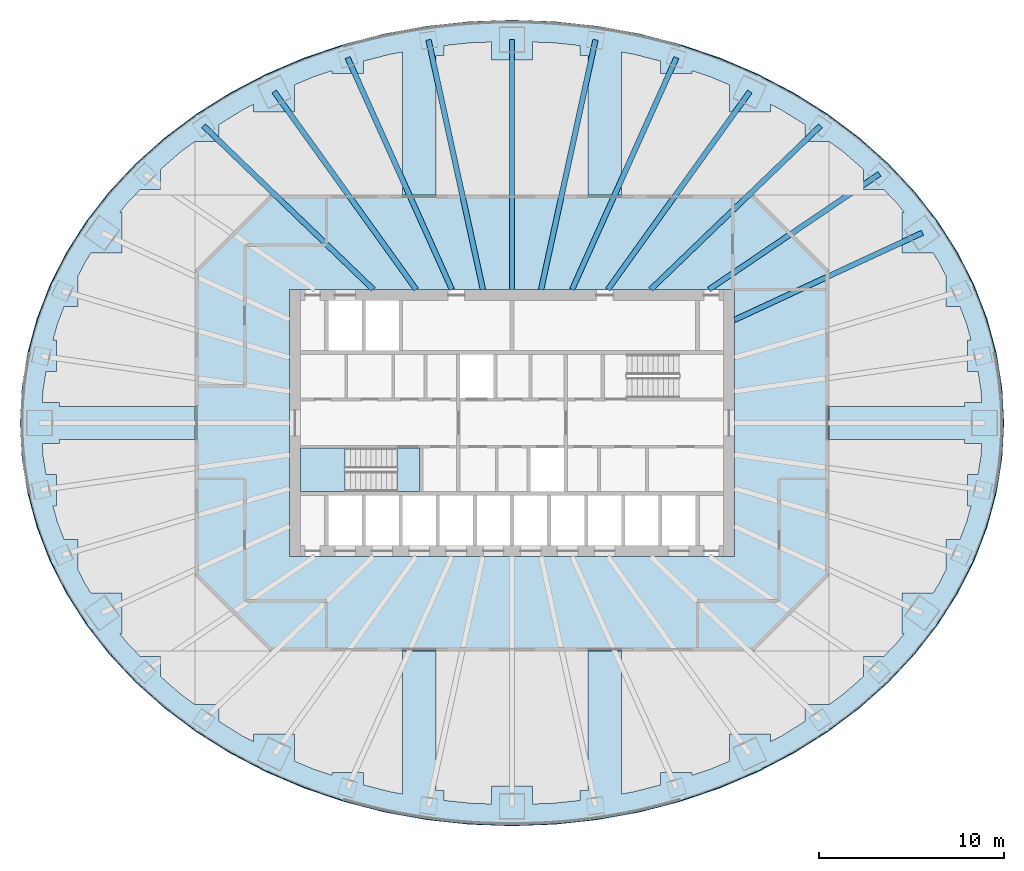
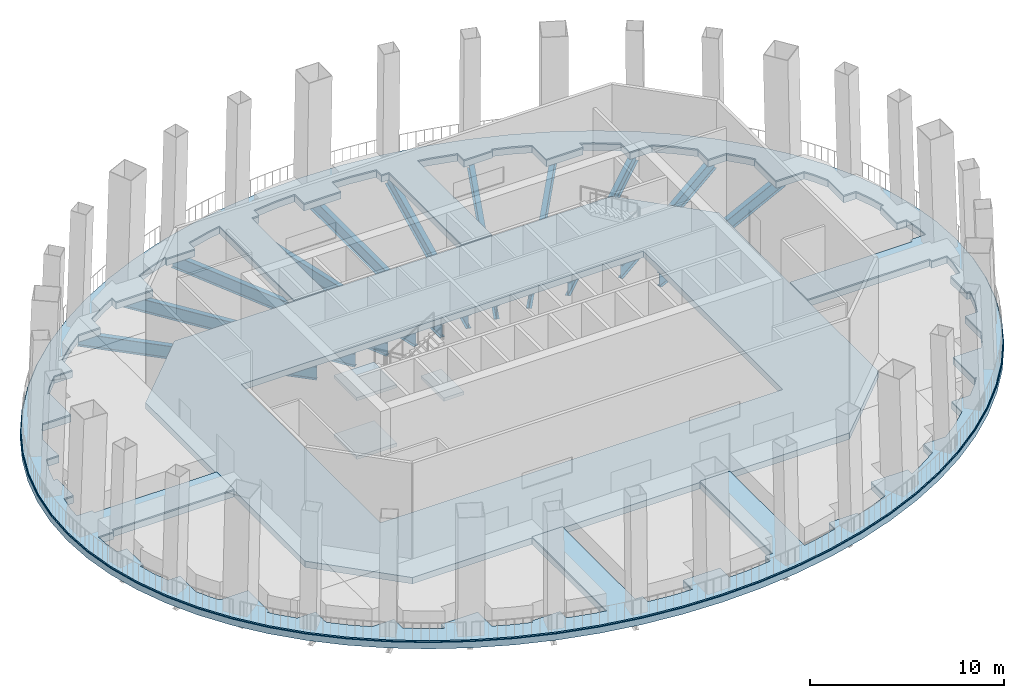
# One storey, part 2 of 13: 11 beams, 6 slabs, 1 element without a shape of its own.
"""IFC4 building model written with IfcOpenShell, lengths in metres."""

from ifc_helpers import new_model, si_unit, direction, frame, origin, origin_2d, place, context, subcontext, project, spatial, polyline, i_section, outline, extrude, material, layer, layer_set, material_profile, profile_set, type_object, element, aggregate, save


model = new_model("IFC4")

# Units and contexts
model_context = context("Model", 3, precision=1e-05, world=origin(), true_north=direction((0.0, 1.0)))
body_context = subcontext(model_context, "Body", "Model", "MODEL_VIEW")
ifc_project = project(units=[si_unit("LENGTHUNIT", "METRE"), si_unit("AREAUNIT", "SQUARE_METRE"), si_unit("VOLUMEUNIT", "CUBIC_METRE"), si_unit("PLANEANGLEUNIT", "RADIAN"), si_unit("MASSUNIT", "GRAM", prefix="KILO")], contexts=[model_context])

# Site, building, storey
site_placement = place(None, origin())
site = spatial("IfcSite", under=ifc_project, at=site_placement, CompositionType="ELEMENT")
building_placement = place(site_placement, origin())
building = spatial("IfcBuilding", under=site, at=building_placement, Name="Siaravel Broadcast Tower", CompositionType="ELEMENT")
storey_placement = place(building_placement, frame((0.0, 0.0, 85.199951171875)))
storey = spatial("IfcBuildingStorey", under=building, at=storey_placement, Name="L20", CompositionType="ELEMENT", Elevation=85.199951171875)

# Beams
ifc_material_1 = material(Name="Steel S355", Category="steel")
ifc_material_profile = material_profile(ifc_material_1, i_section(OverallWidth=0.291748046875, OverallDepth=0.8349609375, WebThickness=0.013916015625, FlangeThickness=0.018798828125, FilletRadius=0.017822265625, at=origin_2d()))
ifc_profile_set = profile_set([ifc_material_profile], Name="Steel S355")
beam_type = type_object("IfcBeamType", Name="BM-UB 838x292x176", PredefinedType="BEAM", material=ifc_profile_set)
beam_1_placement = place(storey_placement, frame((22.131591796875, 10.2578125, -0.8173828125), z_axis=(-0.907287618, -0.420510616, 0.0), x_axis=(0.420510616, -0.907287618, 0.0)))
element("IfcBeam", 1, at=beam_1_placement, inside=storey, type_object=beam_type, Name="Radial beam RB04", PredefinedType="BEAM", context=body_context, shape_type="SweptSolid", body=[
    extrude(i_section(OverallWidth=0.291748046875, OverallDepth=0.8349609375, WebThickness=0.013916015625, FlangeThickness=0.018798828125, FilletRadius=0.017822265625, at=origin_2d()), origin(), (0.0, 0.0, 1.0), 11.1669921875),
])
beam_2_placement = place(storey_placement, frame((19.81298828125, 13.429443359375, -0.8173828125), z_axis=(-0.827770119, -0.561067402, 0.0), x_axis=(0.561067402, -0.827770119, 0.0)))
element("IfcBeam", 2, at=beam_2_placement, inside=storey, type_object=beam_type, Name="Radial beam RB05", PredefinedType="BEAM", context=body_context, shape_type="SweptSolid", body=[
    extrude(i_section(OverallWidth=0.291748046875, OverallDepth=0.8349609375, WebThickness=0.013916015625, FlangeThickness=0.018798828125, FilletRadius=0.017822265625, at=origin_2d()), origin(), (0.0, 0.0, 1.0), 11.10302734375),
])
beam_3_placement = place(storey_placement, frame((16.640869140625, 16.027587890625, -0.8173828125), z_axis=(-0.720249202, -0.693715422, 0.0), x_axis=(0.693715422, -0.720249202, 0.0)))
element("IfcBeam", 3, at=beam_3_placement, inside=storey, type_object=beam_type, Name="Radial beam RB06", PredefinedType="BEAM", context=body_context, shape_type="SweptSolid", body=[
    extrude(i_section(OverallWidth=0.291748046875, OverallDepth=0.8349609375, WebThickness=0.013916015625, FlangeThickness=0.018798828125, FilletRadius=0.017822265625, at=origin_2d()), origin(), (0.0, 0.0, 1.0), 12.72509765625),
])
beam_4_placement = place(storey_placement, frame((12.826416015625, 17.8701171875, -0.8173828125), z_axis=(-0.583109282, -0.812393726, 0.0), x_axis=(0.812393726, -0.583109282, 0.0)))
element("IfcBeam", 4, at=beam_4_placement, inside=storey, type_object=beam_type, Name="Radial beam RB07", PredefinedType="BEAM", context=body_context, shape_type="SweptSolid", body=[
    extrude(i_section(OverallWidth=0.291748046875, OverallDepth=0.8349609375, WebThickness=0.013916015625, FlangeThickness=0.018798828125, FilletRadius=0.017822265625, at=origin_2d()), origin(), (0.0, 0.0, 1.0), 13.13427734375),
])
beam_5_placement = place(storey_placement, frame((8.866943359375, 19.70263671875, -0.8173828125), z_axis=(-0.410395034, -0.911907844, 0.0), x_axis=(0.911907844, -0.410395034, 0.0)))
element("IfcBeam", 5, at=beam_5_placement, inside=storey, type_object=beam_type, Name="Radial beam RB08", PredefinedType="BEAM", context=body_context, shape_type="SweptSolid", body=[
    extrude(i_section(OverallWidth=0.291748046875, OverallDepth=0.8349609375, WebThickness=0.013916015625, FlangeThickness=0.018798828125, FilletRadius=0.017822265625, at=origin_2d()), origin(), (0.0, 0.0, 1.0), 13.71044921875),
])
beam_6_placement = place(storey_placement, frame((4.50341796875, 20.660400390625, -0.8173828125), z_axis=(-0.212976994, -0.977057214, 0.0), x_axis=(0.977057214, -0.212976994, 0.0)))
element("IfcBeam", 6, at=beam_6_placement, inside=storey, type_object=beam_type, Name="Radial beam RB09", PredefinedType="BEAM", context=body_context, shape_type="SweptSolid", body=[
    extrude(i_section(OverallWidth=0.291748046875, OverallDepth=0.8349609375, WebThickness=0.013916015625, FlangeThickness=0.018798828125, FilletRadius=0.017822265625, at=origin_2d()), origin(), (0.0, 0.0, 1.0), 13.776611328125),
])
beam_7_placement = place(storey_placement, frame((0.0, 20.68310546875, -0.8173828125), z_axis=(0.0, -1.0, 0.0), x_axis=(1.0, 0.0, 0.0)))
element("IfcBeam", 7, at=beam_7_placement, inside=storey, type_object=beam_type, Name="Radial beam RB10", PredefinedType="BEAM", context=body_context, shape_type="SweptSolid", body=[
    extrude(i_section(OverallWidth=0.291748046875, OverallDepth=0.8349609375, WebThickness=0.013916015625, FlangeThickness=0.018798828125, FilletRadius=0.017822265625, at=origin_2d()), origin(), (0.0, 0.0, 1.0), 13.483154296875),
])
beam_8_placement = place(storey_placement, frame((-4.50341796875, 20.660400390625, -0.8173828125), z_axis=(0.212976994, -0.977057214, 0.0), x_axis=(0.977057214, 0.212976994, 0.0)))
element("IfcBeam", 8, at=beam_8_placement, inside=storey, type_object=beam_type, Name="Radial beam RB11", PredefinedType="BEAM", context=body_context, shape_type="SweptSolid", body=[
    extrude(i_section(OverallWidth=0.291748046875, OverallDepth=0.8349609375, WebThickness=0.013916015625, FlangeThickness=0.018798828125, FilletRadius=0.017822265625, at=origin_2d()), origin(), (0.0, 0.0, 1.0), 13.776611328125),
])
beam_9_placement = place(storey_placement, frame((-8.866943359375, 19.70263671875, -0.8173828125), z_axis=(0.410395034, -0.911907844, 0.0), x_axis=(0.911907844, 0.410395034, 0.0)))
element("IfcBeam", 9, at=beam_9_placement, inside=storey, type_object=beam_type, Name="Radial beam RB12", PredefinedType="BEAM", context=body_context, shape_type="SweptSolid", body=[
    extrude(i_section(OverallWidth=0.291748046875, OverallDepth=0.8349609375, WebThickness=0.013916015625, FlangeThickness=0.018798828125, FilletRadius=0.017822265625, at=origin_2d()), origin(), (0.0, 0.0, 1.0), 13.71044921875),
])
beam_10_placement = place(storey_placement, frame((-12.826416015625, 17.8701171875, -0.8173828125), z_axis=(0.583109282, -0.812393726, 0.0), x_axis=(0.812393726, 0.583109282, 0.0)))
element("IfcBeam", 10, at=beam_10_placement, inside=storey, type_object=beam_type, Name="Radial beam RB13", PredefinedType="BEAM", context=body_context, shape_type="SweptSolid", body=[
    extrude(i_section(OverallWidth=0.291748046875, OverallDepth=0.8349609375, WebThickness=0.013916015625, FlangeThickness=0.018798828125, FilletRadius=0.017822265625, at=origin_2d()), origin(), (0.0, 0.0, 1.0), 13.13427734375),
])
beam_11_placement = place(storey_placement, frame((-16.640869140625, 16.027587890625, -0.8173828125), z_axis=(0.720249202, -0.693715422, 0.0), x_axis=(0.693715422, 0.720249202, 0.0)))
element("IfcBeam", 11, at=beam_11_placement, inside=storey, type_object=beam_type, Name="Radial beam RB14", PredefinedType="BEAM", context=body_context, shape_type="SweptSolid", body=[
    extrude(i_section(OverallWidth=0.291748046875, OverallDepth=0.8349609375, WebThickness=0.013916015625, FlangeThickness=0.018798828125, FilletRadius=0.017822265625, at=origin_2d()), origin(), (0.0, 0.0, 1.0), 12.72509765625),
])

# Slabs
ifc_material_2 = material(Name="Concrete C40/50", Category="concrete")
ifc_layer_1 = layer(ifc_material_2, 0.39990234375)
ifc_layer_set_1 = layer_set([ifc_layer_1], Name="Concrete C40/50")
slab_type_1 = type_object("IfcSlabType", Name="SLB-FLOOR-400", PredefinedType="FLOOR", material=ifc_layer_set_1)
slab_1_placement = place(storey_placement, frame((0.0, 0.0, -0.39990234375)))
element("IfcSlab", 12, at=slab_1_placement, inside=storey, type_object=slab_type_1, Name="Floor slab", PredefinedType="FLOOR", context=body_context, shape_type="SweptSolid", body=[
    extrude(outline(polyline([(-17.10009765625, 8.241455078125), (-17.10009765625, -8.241455078125), (-13.04150390625, -12.300048828125), (13.04150390625, -12.300048828125), (17.10009765625, -8.241455078125), (17.10009765625, 8.241455078125), (13.04150390625, 12.300048828125), (-13.04150390625, 12.300048828125), (-17.10009765625, 8.241455078125)]), holes=[polyline([(-12.0, 7.199951171875), (12.0, 7.199951171875), (12.0, -7.199951171875), (-12.0, -7.199951171875), (-12.0, 7.199951171875)])]), origin(), (0.0, 0.0, 1.0), 0.39990234375),
])
ifc_layer_2 = layer(ifc_material_2, 0.39990234375)
ifc_layer_set_2 = layer_set([ifc_layer_2], Name="Concrete C40/50")
slab_type_2 = type_object("IfcSlabType", Name="SLB-FLOOR-400-EXT", PredefinedType="FLOOR", material=ifc_layer_set_2)
slab_2_placement = place(storey_placement, frame((0.0, 0.0, -0.39990234375)))
element("IfcSlab", 13, at=slab_2_placement, inside=storey, type_object=slab_type_2, Name="Sky garden terrace structural slab", PredefinedType="FLOOR", context=body_context, shape_type="SweptSolid", body=[
    extrude(outline(polyline([(26.529296875, 0.0), (26.428466796875, 1.893798828125), (26.12646484375, 3.7734375), (25.62548828125, 5.624267578125), (24.929443359375, 7.432373046875), (24.043701171875, 9.18359375), (22.97509765625, 10.865234375), (21.731689453125, 12.464111328125), (20.32275390625, 13.96826171875), (18.759033203125, 15.365966796875), (17.052734375, 16.646484375), (15.216552734375, 17.80078125), (13.2646484375, 18.8193359375), (11.2119140625, 19.694580078125), (9.073486328125, 20.420166015625), (6.8662109375, 20.989990234375), (4.606689453125, 21.400390625), (2.312255859375, 21.64794921875), (0.0, 21.730712890625), (-2.312255859375, 21.64794921875), (-4.606689453125, 21.400390625), (-6.8662109375, 20.989990234375), (-9.073486328125, 20.420166015625), (-11.2119140625, 19.694580078125), (-13.2646484375, 18.8193359375), (-15.216552734375, 17.80078125), (-17.052734375, 16.646484375), (-18.759033203125, 15.365966796875), (-20.32275390625, 13.96826171875), (-21.731689453125, 12.464111328125), (-22.97509765625, 10.865234375), (-24.043701171875, 9.18359375), (-24.929443359375, 7.432373046875), (-25.62548828125, 5.624267578125), (-26.12646484375, 3.7734375), (-26.428466796875, 1.893798828125), (-26.529296875, 0.0), (-26.428466796875, -1.893798828125), (-26.12646484375, -3.7734375), (-25.62548828125, -5.624267578125), (-24.929443359375, -7.432373046875), (-24.043701171875, -9.18359375), (-22.97509765625, -10.865234375), (-21.731689453125, -12.464111328125), (-20.32275390625, -13.96826171875), (-18.759033203125, -15.365966796875), (-17.052734375, -16.646484375), (-15.216552734375, -17.80078125), (-13.2646484375, -18.8193359375), (-11.2119140625, -19.694580078125), (-9.073486328125, -20.420166015625), (-6.8662109375, -20.989990234375), (-4.606689453125, -21.400390625), (-2.312255859375, -21.64794921875), (0.0, -21.730712890625), (2.312255859375, -21.64794921875), (4.606689453125, -21.400390625), (6.8662109375, -20.989990234375), (9.073486328125, -20.420166015625), (11.2119140625, -19.694580078125), (13.2646484375, -18.8193359375), (15.216552734375, -17.80078125), (17.052734375, -16.646484375), (18.759033203125, -15.365966796875), (20.32275390625, -13.96826171875), (21.731689453125, -12.464111328125), (22.97509765625, -10.865234375), (24.043701171875, -9.18359375), (24.929443359375, -7.432373046875), (25.62548828125, -5.624267578125), (26.12646484375, -3.7734375), (26.428466796875, -1.893798828125), (26.529296875, 0.0)]), holes=[polyline([(-2.2119140625, -20.502197265625), (-3.653564453125, -20.348388671875), (-3.653564453125, -19.810302734375), (-4.10009765625, -19.810302734375), (-4.10009765625, -12.300048828125), (-5.89990234375, -12.300048828125), (-5.89990234375, -19.99951171875), (-6.568603515625, -19.87939453125), (-8.016845703125, -19.509033203125), (-8.016845703125, -18.852783203125), (-9.716796875, -18.852783203125), (-9.716796875, -18.9912109375), (-10.725830078125, -18.65234375), (-11.726318359375, -18.22998046875), (-11.726318359375, -16.770263671875), (-13.926513671875, -16.770263671875), (-13.926513671875, -17.184326171875), (-14.556884765625, -16.858642578125), (-15.790771484375, -16.091064453125), (-15.790771484375, -15.177490234375), (-17.10009765625, -15.177490234375), (-17.10498046875, -15.177490234375), (-17.94580078125, -14.552734375), (-18.962890625, -13.652587890625), (-18.962890625, -12.579345703125), (-20.056396484375, -12.579345703125), (-20.32080078125, -12.300048828125), (-20.78955078125, -11.804443359375), (-21.140380859375, -11.35791015625), (-21.031494140625, -11.35791015625), (-21.031494140625, -9.15771484375), (-22.706298828125, -9.15771484375), (-23.00146484375, -8.69775390625), (-23.40869140625, -7.900634765625), (-23.40869140625, -6.275390625), (-24.145751953125, -6.275390625), (-24.5146484375, -5.32666015625), (-24.75048828125, -4.464111328125), (-24.557373046875, -4.464111328125), (-24.557373046875, -2.76416015625), (-25.125244140625, -2.76416015625), (-25.28271484375, -1.793701171875), (-25.3203125, -1.10009765625), (-24.393310546875, -1.10009765625), (-24.393310546875, -0.89990234375), (-17.10009765625, -0.89990234375), (-17.10009765625, 0.89990234375), (-24.393310546875, 0.89990234375), (-24.393310546875, 1.10009765625), (-25.3203125, 1.10009765625), (-25.28271484375, 1.793701171875), (-25.125244140625, 2.76416015625), (-24.557373046875, 2.76416015625), (-24.557373046875, 4.464111328125), (-24.75048828125, 4.464111328125), (-24.5146484375, 5.32666015625), (-24.145751953125, 6.275390625), (-23.40869140625, 6.275390625), (-23.40869140625, 7.900634765625), (-23.00146484375, 8.69775390625), (-22.706298828125, 9.15771484375), (-21.031494140625, 9.15771484375), (-21.031494140625, 11.35791015625), (-21.140380859375, 11.35791015625), (-20.78955078125, 11.804443359375), (-20.32080078125, 12.300048828125), (-20.056396484375, 12.579345703125), (-18.962890625, 12.579345703125), (-18.962890625, 13.652587890625), (-17.94580078125, 14.552734375), (-17.10498046875, 15.177490234375), (-17.10009765625, 15.177490234375), (-15.790771484375, 15.177490234375), (-15.790771484375, 16.091064453125), (-14.556884765625, 16.858642578125), (-13.926513671875, 17.184326171875), (-13.926513671875, 16.770263671875), (-11.726318359375, 16.770263671875), (-11.726318359375, 18.22998046875), (-10.725830078125, 18.65234375), (-9.716796875, 18.9912109375), (-9.716796875, 18.852783203125), (-8.016845703125, 18.852783203125), (-8.016845703125, 19.509033203125), (-6.568603515625, 19.87939453125), (-5.89990234375, 19.99951171875), (-5.89990234375, 12.300048828125), (-4.10009765625, 12.300048828125), (-4.10009765625, 19.810302734375), (-3.653564453125, 19.810302734375), (-3.653564453125, 20.348388671875), (-2.2119140625, 20.502197265625), (-1.10009765625, 20.541748046875), (-1.10009765625, 19.5830078125), (1.10009765625, 19.5830078125), (1.10009765625, 20.541748046875), (2.2119140625, 20.502197265625), (3.653564453125, 20.348388671875), (3.653564453125, 19.810302734375), (4.10009765625, 19.810302734375), (4.10009765625, 12.300048828125), (5.89990234375, 12.300048828125), (5.89990234375, 19.99951171875), (6.568603515625, 19.87939453125), (8.016845703125, 19.509033203125), (8.016845703125, 18.852783203125), (9.716796875, 18.852783203125), (9.716796875, 18.9912109375), (10.725830078125, 18.65234375), (11.726318359375, 18.22998046875), (11.726318359375, 16.770263671875), (13.926513671875, 16.770263671875), (13.926513671875, 17.184326171875), (14.556884765625, 16.858642578125), (15.790771484375, 16.091064453125), (15.790771484375, 15.177490234375), (17.10009765625, 15.177490234375), (17.10498046875, 15.177490234375), (17.94580078125, 14.552734375), (18.962890625, 13.652587890625), (18.962890625, 12.579345703125), (20.056396484375, 12.579345703125), (20.32080078125, 12.300048828125), (20.78955078125, 11.804443359375), (21.140380859375, 11.35791015625), (21.031494140625, 11.35791015625), (21.031494140625, 9.15771484375), (22.706298828125, 9.15771484375), (23.00146484375, 8.69775390625), (23.40869140625, 7.900634765625), (23.40869140625, 6.275390625), (24.145751953125, 6.275390625), (24.5146484375, 5.32666015625), (24.75048828125, 4.464111328125), (24.557373046875, 4.464111328125), (24.557373046875, 2.76416015625), (25.125244140625, 2.76416015625), (25.28271484375, 1.793701171875), (25.3203125, 1.10009765625), (24.393310546875, 1.10009765625), (24.393310546875, 0.89990234375), (17.10009765625, 0.89990234375), (17.10009765625, -0.89990234375), (24.393310546875, -0.89990234375), (24.393310546875, -1.10009765625), (25.3203125, -1.10009765625), (25.28271484375, -1.793701171875), (25.125244140625, -2.76416015625), (24.557373046875, -2.76416015625), (24.557373046875, -4.464111328125), (24.75048828125, -4.464111328125), (24.5146484375, -5.32666015625), (24.145751953125, -6.275390625), (23.40869140625, -6.275390625), (23.40869140625, -7.900634765625), (23.00146484375, -8.69775390625), (22.706298828125, -9.15771484375), (21.031494140625, -9.15771484375), (21.031494140625, -11.35791015625), (21.140380859375, -11.35791015625), (20.78955078125, -11.804443359375), (20.32080078125, -12.300048828125), (20.056396484375, -12.579345703125), (18.962890625, -12.579345703125), (18.962890625, -13.652587890625), (17.94580078125, -14.552734375), (17.10498046875, -15.177490234375), (17.10009765625, -15.177490234375), (15.790771484375, -15.177490234375), (15.790771484375, -16.091064453125), (14.556884765625, -16.858642578125), (13.926513671875, -17.184326171875), (13.926513671875, -16.770263671875), (11.726318359375, -16.770263671875), (11.726318359375, -18.22998046875), (10.725830078125, -18.65234375), (9.716796875, -18.9912109375), (9.716796875, -18.852783203125), (8.016845703125, -18.852783203125), (8.016845703125, -19.509033203125), (6.568603515625, -19.87939453125), (5.89990234375, -19.99951171875), (5.89990234375, -12.300048828125), (4.10009765625, -12.300048828125), (4.10009765625, -19.810302734375), (3.653564453125, -19.810302734375), (3.653564453125, -20.348388671875), (2.2119140625, -20.502197265625), (1.10009765625, -20.541748046875), (1.10009765625, -19.5830078125), (-1.10009765625, -19.5830078125), (-1.10009765625, -20.541748046875), (-2.2119140625, -20.502197265625)])]), origin(), (0.0, 0.0, 1.0), 0.39990234375),
])
ifc_layer_3 = layer(ifc_material_2, 0.080078125)
ifc_layer_set_3 = layer_set([ifc_layer_3], Name="Concrete C40/50")
slab_type_3 = type_object("IfcSlabType", Name="Sky garden paving slab", PredefinedType="FLOOR", material=ifc_layer_set_3)
slab_3_placement = place(storey_placement, origin())
element("IfcSlab", 14, at=slab_3_placement, inside=storey, type_object=slab_type_3, Name="L20 sky garden terrace paving", PredefinedType="FLOOR", context=body_context, shape_type="SweptSolid", body=[
    extrude(outline(polyline([(26.4794921875, 0.0), (26.378662109375, 1.8896484375), (26.0771484375, 3.764892578125), (25.5771484375, 5.611328125), (24.882568359375, 7.415283203125), (23.99853515625, 9.16259765625), (22.931884765625, 10.84033203125), (21.690673828125, 12.435546875), (20.284423828125, 13.93603515625), (18.723876953125, 15.33056640625), (17.0205078125, 16.6083984375), (15.18798828125, 17.759765625), (13.23974609375, 18.77587890625), (11.190673828125, 19.6494140625), (9.056396484375, 20.373046875), (6.853515625, 20.94189453125), (4.59814453125, 21.351318359375), (2.307861328125, 21.59814453125), (0.0, 21.6806640625), (-2.307861328125, 21.59814453125), (-4.59814453125, 21.351318359375), (-6.853515625, 20.94189453125), (-9.056396484375, 20.373046875), (-11.190673828125, 19.6494140625), (-13.23974609375, 18.77587890625), (-15.18798828125, 17.759765625), (-17.0205078125, 16.6083984375), (-18.723876953125, 15.33056640625), (-20.284423828125, 13.93603515625), (-21.690673828125, 12.435546875), (-22.931884765625, 10.84033203125), (-23.99853515625, 9.16259765625), (-24.882568359375, 7.415283203125), (-25.5771484375, 5.611328125), (-26.0771484375, 3.764892578125), (-26.378662109375, 1.8896484375), (-26.4794921875, 0.0), (-26.378662109375, -1.8896484375), (-26.0771484375, -3.764892578125), (-25.5771484375, -5.611328125), (-24.882568359375, -7.415283203125), (-23.99853515625, -9.16259765625), (-22.931884765625, -10.84033203125), (-21.690673828125, -12.435546875), (-20.284423828125, -13.93603515625), (-18.723876953125, -15.33056640625), (-17.0205078125, -16.6083984375), (-15.18798828125, -17.759765625), (-13.23974609375, -18.77587890625), (-11.190673828125, -19.6494140625), (-9.056396484375, -20.373046875), (-6.853515625, -20.94189453125), (-4.59814453125, -21.351318359375), (-2.307861328125, -21.59814453125), (0.0, -21.6806640625), (2.307861328125, -21.59814453125), (4.59814453125, -21.351318359375), (6.853515625, -20.94189453125), (9.056396484375, -20.373046875), (11.190673828125, -19.6494140625), (13.23974609375, -18.77587890625), (15.18798828125, -17.759765625), (17.0205078125, -16.6083984375), (18.723876953125, -15.33056640625), (20.284423828125, -13.93603515625), (21.690673828125, -12.435546875), (22.931884765625, -10.84033203125), (23.99853515625, -9.16259765625), (24.882568359375, -7.415283203125), (25.5771484375, -5.611328125), (26.0771484375, -3.764892578125), (26.378662109375, -1.8896484375), (26.4794921875, 0.0)]), holes=[polyline([(-2.2119140625, -20.502197265625), (-3.653564453125, -20.348388671875), (-3.653564453125, -19.810302734375), (-4.10009765625, -19.810302734375), (-4.10009765625, -12.300048828125), (-5.89990234375, -12.300048828125), (-5.89990234375, -19.99951171875), (-6.568603515625, -19.87939453125), (-8.016845703125, -19.509033203125), (-8.016845703125, -18.852783203125), (-9.716796875, -18.852783203125), (-9.716796875, -18.9912109375), (-10.725830078125, -18.65234375), (-11.726318359375, -18.22998046875), (-11.726318359375, -16.770263671875), (-13.926513671875, -16.770263671875), (-13.926513671875, -17.184326171875), (-14.556884765625, -16.858642578125), (-15.790771484375, -16.091064453125), (-15.790771484375, -15.177490234375), (-17.10009765625, -15.177490234375), (-17.10498046875, -15.177490234375), (-17.94580078125, -14.552734375), (-18.962890625, -13.652587890625), (-18.962890625, -12.579345703125), (-20.056396484375, -12.579345703125), (-20.32080078125, -12.300048828125), (-20.78955078125, -11.804443359375), (-21.140380859375, -11.35791015625), (-21.031494140625, -11.35791015625), (-21.031494140625, -9.15771484375), (-22.706298828125, -9.15771484375), (-23.00146484375, -8.69775390625), (-23.40869140625, -7.900634765625), (-23.40869140625, -6.275390625), (-24.145751953125, -6.275390625), (-24.5146484375, -5.32666015625), (-24.75048828125, -4.464111328125), (-24.557373046875, -4.464111328125), (-24.557373046875, -2.76416015625), (-25.125244140625, -2.76416015625), (-25.28271484375, -1.793701171875), (-25.3203125, -1.10009765625), (-24.393310546875, -1.10009765625), (-24.393310546875, -0.89990234375), (-17.10009765625, -0.89990234375), (-17.10009765625, 0.89990234375), (-24.393310546875, 0.89990234375), (-24.393310546875, 1.10009765625), (-25.3203125, 1.10009765625), (-25.28271484375, 1.793701171875), (-25.125244140625, 2.76416015625), (-24.557373046875, 2.76416015625), (-24.557373046875, 4.464111328125), (-24.75048828125, 4.464111328125), (-24.5146484375, 5.32666015625), (-24.145751953125, 6.275390625), (-23.40869140625, 6.275390625), (-23.40869140625, 7.900634765625), (-23.00146484375, 8.69775390625), (-22.706298828125, 9.15771484375), (-21.031494140625, 9.15771484375), (-21.031494140625, 11.35791015625), (-21.140380859375, 11.35791015625), (-20.78955078125, 11.804443359375), (-20.32080078125, 12.300048828125), (-20.056396484375, 12.579345703125), (-18.962890625, 12.579345703125), (-18.962890625, 13.652587890625), (-17.94580078125, 14.552734375), (-17.10498046875, 15.177490234375), (-17.10009765625, 15.177490234375), (-15.790771484375, 15.177490234375), (-15.790771484375, 16.091064453125), (-14.556884765625, 16.858642578125), (-13.926513671875, 17.184326171875), (-13.926513671875, 16.770263671875), (-11.726318359375, 16.770263671875), (-11.726318359375, 18.22998046875), (-10.725830078125, 18.65234375), (-9.716796875, 18.9912109375), (-9.716796875, 18.852783203125), (-8.016845703125, 18.852783203125), (-8.016845703125, 19.509033203125), (-6.568603515625, 19.87939453125), (-5.89990234375, 19.99951171875), (-5.89990234375, 12.300048828125), (-4.10009765625, 12.300048828125), (-4.10009765625, 19.810302734375), (-3.653564453125, 19.810302734375), (-3.653564453125, 20.348388671875), (-2.2119140625, 20.502197265625), (-1.10009765625, 20.541748046875), (-1.10009765625, 19.5830078125), (1.10009765625, 19.5830078125), (1.10009765625, 20.541748046875), (2.2119140625, 20.502197265625), (3.653564453125, 20.348388671875), (3.653564453125, 19.810302734375), (4.10009765625, 19.810302734375), (4.10009765625, 12.300048828125), (5.89990234375, 12.300048828125), (5.89990234375, 19.99951171875), (6.568603515625, 19.87939453125), (8.016845703125, 19.509033203125), (8.016845703125, 18.852783203125), (9.716796875, 18.852783203125), (9.716796875, 18.9912109375), (10.725830078125, 18.65234375), (11.726318359375, 18.22998046875), (11.726318359375, 16.770263671875), (13.926513671875, 16.770263671875), (13.926513671875, 17.184326171875), (14.556884765625, 16.858642578125), (15.790771484375, 16.091064453125), (15.790771484375, 15.177490234375), (17.10009765625, 15.177490234375), (17.10498046875, 15.177490234375), (17.94580078125, 14.552734375), (18.962890625, 13.652587890625), (18.962890625, 12.579345703125), (20.056396484375, 12.579345703125), (20.32080078125, 12.300048828125), (20.78955078125, 11.804443359375), (21.140380859375, 11.35791015625), (21.031494140625, 11.35791015625), (21.031494140625, 9.15771484375), (22.706298828125, 9.15771484375), (23.00146484375, 8.69775390625), (23.40869140625, 7.900634765625), (23.40869140625, 6.275390625), (24.145751953125, 6.275390625), (24.5146484375, 5.32666015625), (24.75048828125, 4.464111328125), (24.557373046875, 4.464111328125), (24.557373046875, 2.76416015625), (25.125244140625, 2.76416015625), (25.28271484375, 1.793701171875), (25.3203125, 1.10009765625), (24.393310546875, 1.10009765625), (24.393310546875, 0.89990234375), (17.10009765625, 0.89990234375), (17.10009765625, -0.89990234375), (24.393310546875, -0.89990234375), (24.393310546875, -1.10009765625), (25.3203125, -1.10009765625), (25.28271484375, -1.793701171875), (25.125244140625, -2.76416015625), (24.557373046875, -2.76416015625), (24.557373046875, -4.464111328125), (24.75048828125, -4.464111328125), (24.5146484375, -5.32666015625), (24.145751953125, -6.275390625), (23.40869140625, -6.275390625), (23.40869140625, -7.900634765625), (23.00146484375, -8.69775390625), (22.706298828125, -9.15771484375), (21.031494140625, -9.15771484375), (21.031494140625, -11.35791015625), (21.140380859375, -11.35791015625), (20.78955078125, -11.804443359375), (20.32080078125, -12.300048828125), (20.056396484375, -12.579345703125), (18.962890625, -12.579345703125), (18.962890625, -13.652587890625), (17.94580078125, -14.552734375), (17.10498046875, -15.177490234375), (17.10009765625, -15.177490234375), (15.790771484375, -15.177490234375), (15.790771484375, -16.091064453125), (14.556884765625, -16.858642578125), (13.926513671875, -17.184326171875), (13.926513671875, -16.770263671875), (11.726318359375, -16.770263671875), (11.726318359375, -18.22998046875), (10.725830078125, -18.65234375), (9.716796875, -18.9912109375), (9.716796875, -18.852783203125), (8.016845703125, -18.852783203125), (8.016845703125, -19.509033203125), (6.568603515625, -19.87939453125), (5.89990234375, -19.99951171875), (5.89990234375, -12.300048828125), (4.10009765625, -12.300048828125), (4.10009765625, -19.810302734375), (3.653564453125, -19.810302734375), (3.653564453125, -20.348388671875), (2.2119140625, -20.502197265625), (1.10009765625, -20.541748046875), (1.10009765625, -19.5830078125), (-1.10009765625, -19.5830078125), (-1.10009765625, -20.541748046875), (-2.2119140625, -20.502197265625)])]), origin(), (0.0, 0.0, 1.0), 0.080078125),
])

# Stair, slabs
stair_type = type_object("IfcStairType", Name="Core exit stair", PredefinedType="HALF_TURN_STAIR", material=ifc_material_2)
stair_placement = place(storey_placement, origin())
stair = element("IfcStair", 15, at=stair_placement, inside=storey, type_object=stair_type, Name="L20 Exit stair ST-1", PredefinedType="HALF_TURN_STAIR")
ifc_layer_4 = layer(ifc_material_2, 0.199951171875)
ifc_layer_set_4 = layer_set([ifc_layer_4], Name="Concrete C40/50")
slab_type_4 = type_object("IfcSlabType", Name="Stair landing", PredefinedType="LANDING", material=ifc_layer_set_4)
slab_4_placement = place(storey_placement, frame((0.0, 0.0, 1.650146484375)))
slab_4 = element("IfcSlab", 16, at=slab_4_placement, type_object=slab_type_4, Name="ST-1 landing 1", PredefinedType="LANDING", context=body_context, shape_type="SweptSolid", body=[
    extrude(outline(polyline([(-9.0, -1.35009765625), (-11.39990234375, -1.35009765625), (-11.39990234375, -3.699951171875), (-9.0, -3.699951171875), (-9.0, -1.35009765625)])), origin(), (0.0, 0.0, 1.0), 0.199951171875),
])
slab_5_placement = place(storey_placement, frame((0.0, 0.0, 3.5)))
slab_5 = element("IfcSlab", 17, at=slab_5_placement, type_object=slab_type_4, Name="ST-1 landing 2", PredefinedType="LANDING", context=body_context, shape_type="SweptSolid", body=[
    extrude(outline(polyline([(-5.0, -1.35009765625), (-6.199951171875, -1.35009765625), (-6.199951171875, -3.699951171875), (-5.0, -3.699951171875), (-5.0, -1.35009765625)])), origin(), (0.0, 0.0, 1.0), 0.199951171875),
])
slab_6_placement = place(storey_placement, frame((0.0, 0.0, 5.35009765625)))
slab_6 = element("IfcSlab", 18, at=slab_6_placement, type_object=slab_type_4, Name="ST-1 landing 3", PredefinedType="LANDING", context=body_context, shape_type="SweptSolid", body=[
    extrude(outline(polyline([(-9.0, -1.35009765625), (-11.39990234375, -1.35009765625), (-11.39990234375, -3.699951171875), (-9.0, -3.699951171875), (-9.0, -1.35009765625)])), origin(), (0.0, 0.0, 1.0), 0.199951171875),
])
aggregate(stair, [slab_4, slab_5, slab_6])

save(model, "model.ifc")
